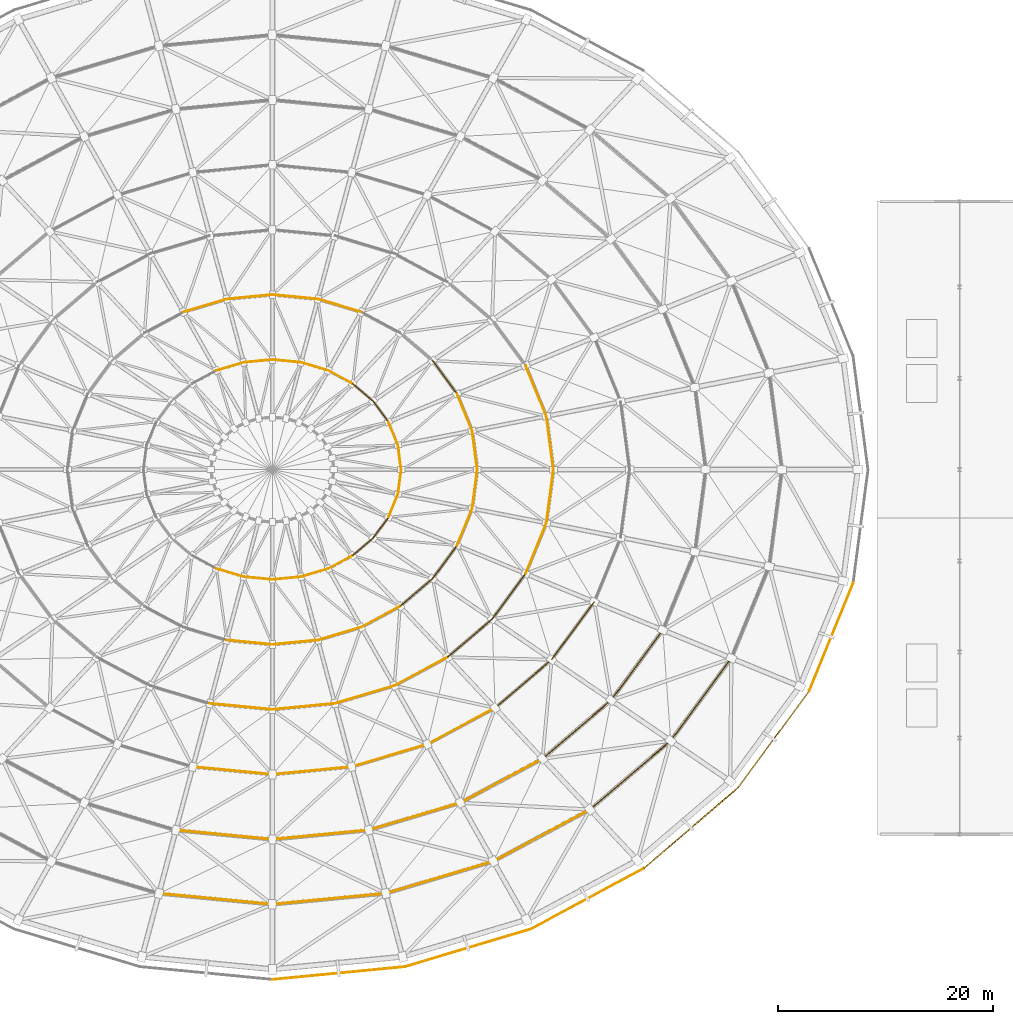
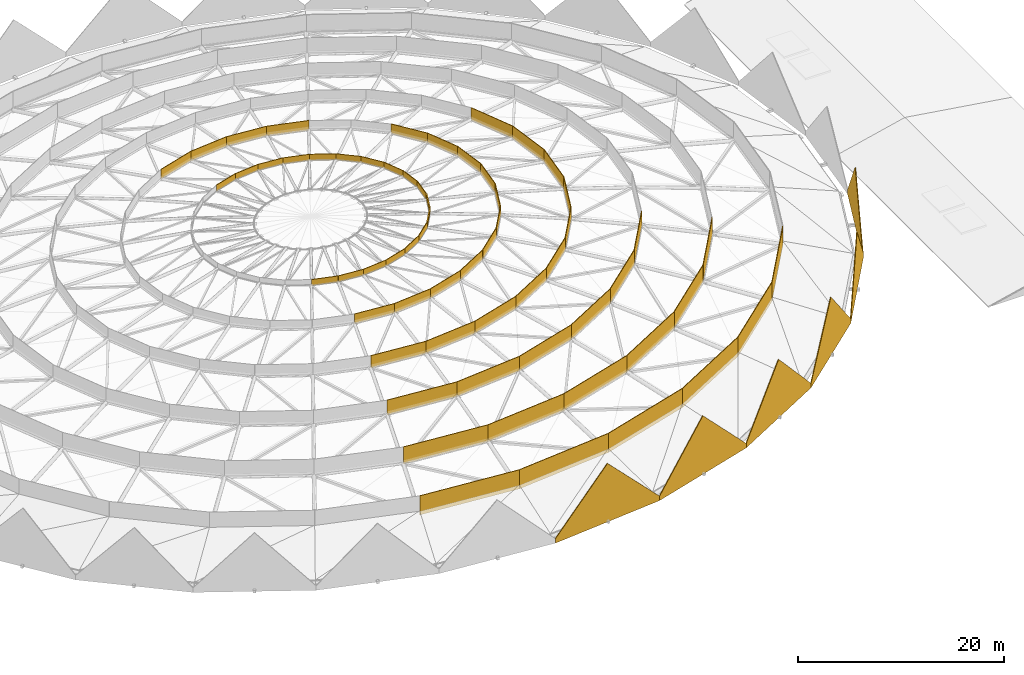
# One storey, part 25 of 27: 67 coverings.
"""IFC4 building model written with IfcOpenShell, lengths in metres."""

from ifc_helpers import new_model, si_unit, direction, frame, frame_2d, origin, place, context, subcontext, project, spatial, polyline, rectangle, outline, extrude, material, layer, layer_set, type_object, element, save


model = new_model("IFC4")

# Units and contexts
model_context = context("Model", 3, precision=1e-05, world=origin(), true_north=direction((0.0, 1.0)))
body_context = subcontext(model_context, "Body", "Model", "MODEL_VIEW")
ifc_project = project(units=[si_unit("LENGTHUNIT", "METRE"), si_unit("AREAUNIT", "SQUARE_METRE"), si_unit("VOLUMEUNIT", "CUBIC_METRE"), si_unit("PLANEANGLEUNIT", "RADIAN"), si_unit("MASSUNIT", "GRAM", prefix="KILO")], contexts=[model_context])

# Site, building, storey
site_placement = place(None, origin())
site = spatial("IfcSite", under=ifc_project, at=site_placement, CompositionType="ELEMENT")
building_placement = place(site_placement, origin())
building = spatial("IfcBuilding", under=site, at=building_placement, Name="Cuetzalor Civic Arena", CompositionType="ELEMENT")
storey_placement = place(building_placement, frame((0.0, 0.0, 31.800048828125)))
storey = spatial("IfcBuildingStorey", under=building, at=storey_placement, Name="Roof", CompositionType="ELEMENT", Elevation=31.800048828125)

# Coverings
ifc_material = material(Name="Terracotta-red perforated anodised aluminium panel", Category="masonry")
ifc_layer = layer(ifc_material, 0.080078125)
ifc_layer_set = layer_set([ifc_layer], Name="Terracotta-red perforated anodised aluminium panel")
covering_type = type_object("IfcCoveringType", Name="TerracottaPerforatedScreenPanel", PredefinedType="CLADDING", material=ifc_layer_set)
covering_1_placement = place(storey_placement, frame((12.349853515625, -46.30908203125, -0.1201171875), z_axis=(0.0, 0.0, 1.0), x_axis=(-0.995382637025, -0.095986488157, 0.0)))
element("IfcCovering", 1, at=covering_1_placement, inside=storey, type_object=covering_type, Name="Terracotta Sawtooth Crest Panel S22", PredefinedType="CLADDING", context=body_context, shape_type="SweptSolid", body=[
    extrude(outline(polyline([(0.0, 0.0), (12.4072265625, 0.0), (12.4072265625, 0.52001953125), (6.20361328125, 6.920166015625), (0.0, 0.52001953125), (0.0, 0.0)])), frame((0.0, 0.0400390625, 0.0), z_axis=(0.0, -1.0, 0.0), x_axis=(1.0, 0.0, 0.0)), (0.0, 0.0, 1.0), 0.080078125),
])
covering_2_placement = place(storey_placement, frame((24.08056640625, -42.7958984375, -0.1201171875), z_axis=(0.0, 0.0, 1.0), x_axis=(-0.957961714935, -0.286896066056, 0.0)))
element("IfcCovering", 2, at=covering_2_placement, inside=storey, type_object=covering_type, Name="Terracotta Sawtooth Crest Panel S23", PredefinedType="CLADDING", context=body_context, shape_type="SweptSolid", body=[
    extrude(outline(polyline([(0.0, 0.0), (12.24560546875, 0.0), (12.245361328125, 0.52001953125), (6.122802734375, 6.920166015625), (0.0, 0.52001953125), (0.0, 0.0)])), frame((0.0, 0.0400390625, 0.0), z_axis=(0.0, -1.0, 0.0), x_axis=(1.0, 0.0, 0.0)), (0.0, 0.0, 1.0), 0.080078125),
])
covering_3_placement = place(storey_placement, frame((34.603759765625, -37.136962890625, -0.1201171875), z_axis=(0.0, 0.0, 1.0), x_axis=(-0.880729476331, -0.473619667584, 0.0)))
element("IfcCovering", 3, at=covering_3_placement, inside=storey, type_object=covering_type, Name="Terracotta Sawtooth Crest Panel S24", PredefinedType="CLADDING", context=body_context, shape_type="SweptSolid", body=[
    extrude(outline(polyline([(0.0, 0.0), (11.9482421875, 0.0), (11.9482421875, 0.52001953125), (5.97412109375, 6.920166015625), (0.0, 0.52001953125), (0.0, 0.0)])), frame((0.0, 0.0400390625, 0.0), z_axis=(0.0, -1.0, 0.0), x_axis=(1.0, 0.0, 0.0)), (0.0, 0.0, 1.0), 0.080078125),
])
covering_4_placement = place(storey_placement, frame((43.3916015625, -29.61572265625, -0.1201171875), z_axis=(0.0, 0.0, 1.0), x_axis=(-0.759734649699, -0.650233236652, 0.0)))
element("IfcCovering", 4, at=covering_4_placement, inside=storey, type_object=covering_type, Name="Terracotta Sawtooth Crest Panel S25", PredefinedType="CLADDING", context=body_context, shape_type="SweptSolid", body=[
    extrude(outline(polyline([(0.0, 0.0), (11.56689453125, 0.0), (11.56689453125, 0.52001953125), (5.783447265625, 6.920166015625), (0.0, 0.52001953125), (0.0, 0.0)])), frame((0.0, 0.0400390625, 0.0), z_axis=(0.0, -1.0, 0.0), x_axis=(1.0, 0.0, 0.0)), (0.0, 0.0, 1.0), 0.080078125),
])
covering_5_placement = place(storey_placement, frame((50.00390625, -20.609619140625, -0.1201171875), z_axis=(0.0, 0.0, 1.0), x_axis=(-0.591819224601, -0.806070719846, 0.0)))
element("IfcCovering", 5, at=covering_5_placement, inside=storey, type_object=covering_type, Name="Terracotta Sawtooth Crest Panel S26", PredefinedType="CLADDING", context=body_context, shape_type="SweptSolid", body=[
    extrude(outline(polyline([(0.0, 0.0), (11.1728515625, 0.0), (11.1728515625, 0.52001953125), (5.58642578125, 6.920166015625), (0.0, 0.52001953125), (0.0, 0.0)])), frame((0.0, 0.0400390625, 0.0), z_axis=(0.0, -1.0, 0.0), x_axis=(1.0, 0.0, 0.0)), (0.0, 0.0, 1.0), 0.080078125),
])
covering_6_placement = place(storey_placement, frame((54.1083984375, -10.569580078125, -0.1201171875), z_axis=(0.0, 0.0, 1.0), x_axis=(-0.378411973316, -0.925637282336, 0.0)))
element("IfcCovering", 6, at=covering_6_placement, inside=storey, type_object=covering_type, Name="Terracotta Sawtooth Crest Panel S27", PredefinedType="CLADDING", context=body_context, shape_type="SweptSolid", body=[
    extrude(outline(polyline([(0.0, 0.0), (10.8466796875, 0.0), (10.846435546875, 0.52001953125), (5.42333984375, 6.920166015625), (0.0, 0.52001953125), (0.0, 0.0)])), frame((0.0, 0.0400390625, 0.0), z_axis=(0.0, -1.0, 0.0), x_axis=(1.0, 0.0, 0.0)), (0.0, 0.0, 1.0), 0.080078125),
])
for number, where, z_axis, x_axis, name in (
    (7, (0.0, -40.49853515625, 2.06103515625), (0.0, 0.0, 1.0), (-0.995409535031, 0.095707144817, 0.0), "Dome Acoustic Clerestory Baffle Ring 1 S21"),
    (8, (10.560546875, -39.483154296875, 2.06103515625), (0.0, 0.0, 1.0), (-0.995409535031, -0.095707144817, 0.0), "Dome Acoustic Clerestory Baffle Ring 1 S22"),
):
    element("IfcCovering", number, at=place(storey_placement, frame(where, z_axis=z_axis, x_axis=x_axis)), inside=storey, type_object=covering_type, Name=name, PredefinedType="CLADDING", context=body_context, shape_type="SweptSolid", body=[
        extrude(rectangle(XDim=10.609130859375, YDim=0.080078125, at=frame_2d((5.3046875, 0.0))), origin(), (0.0, 0.0, 1.0), 2.263671875),
    ])
covering_7_placement = place(storey_placement, frame((20.591552734375, -36.48779296875, 2.06103515625), z_axis=(0.0, 0.0, 1.0), x_axis=(-0.95819201033, -0.286125971104, 0.0)))
element("IfcCovering", 9, at=covering_7_placement, inside=storey, type_object=covering_type, Name="Dome Acoustic Clerestory Baffle Ring 1 S23", PredefinedType="CLADDING", context=body_context, shape_type="SweptSolid", body=[
    extrude(rectangle(XDim=10.46875, YDim=0.080078125, at=frame_2d((5.234375, 0.0))), origin(), (0.0, 0.0, 1.0), 2.263671875),
])
covering_8_placement = place(storey_placement, frame((29.58984375, -31.6630859375, 2.06103515625), z_axis=(0.0, 0.0, 1.0), x_axis=(-0.881308929079, -0.472540550139, 0.0)))
element("IfcCovering", 10, at=covering_8_placement, inside=storey, type_object=covering_type, Name="Dome Acoustic Clerestory Baffle Ring 1 S24", PredefinedType="CLADDING", context=body_context, shape_type="SweptSolid", body=[
    extrude(rectangle(XDim=10.210205078125, YDim=0.080078125, at=frame_2d((5.10498046875, 0.0))), origin(), (0.0, 0.0, 1.0), 2.263671875),
])
covering_9_placement = place(storey_placement, frame((37.1044921875, -25.25048828125, 2.06103515625), z_axis=(0.0, 0.0, 1.0), x_axis=(-0.760681764148, -0.649124990809, 0.0)))
element("IfcCovering", 11, at=covering_9_placement, inside=storey, type_object=covering_type, Name="Dome Acoustic Clerestory Baffle Ring 1 S25", PredefinedType="CLADDING", context=body_context, shape_type="SweptSolid", body=[
    extrude(rectangle(XDim=9.87890625, YDim=0.080078125, at=frame_2d((4.939453125, 0.0))), origin(), (0.0, 0.0, 1.0), 2.263671875),
])
covering_10_placement = place(storey_placement, frame((42.758544921875, -17.571533203125, 2.06103515625), z_axis=(0.0, 0.0, 1.0), x_axis=(-0.592918666159, -0.805262351858, 0.0)))
element("IfcCovering", 12, at=covering_10_placement, inside=storey, type_object=covering_type, Name="Dome Acoustic Clerestory Baffle Ring 1 S26", PredefinedType="CLADDING", context=body_context, shape_type="SweptSolid", body=[
    extrude(rectangle(XDim=9.535888671875, YDim=0.080078125, at=frame_2d((4.76806640625, 0.0))), origin(), (0.0, 0.0, 1.0), 2.263671875),
])
for number, where, z_axis, x_axis, name in (
    (13, (0.0, -34.447021484375, 3.95458984375), (0.0, 0.0, 1.0), (-0.995408235955, 0.095720655001, 0.0), "Dome Acoustic Clerestory Baffle Ring 2 S21"),
    (14, (8.982421875, -33.583251953125, 3.95458984375), (0.0, 0.0, 1.0), (-0.995408235955, -0.095720655001, 0.0), "Dome Acoustic Clerestory Baffle Ring 2 S22"),
):
    element("IfcCovering", number, at=place(storey_placement, frame(where, z_axis=z_axis, x_axis=x_axis)), inside=storey, type_object=covering_type, Name=name, PredefinedType="CLADDING", context=body_context, shape_type="SweptSolid", body=[
        extrude(rectangle(XDim=9.02392578125, YDim=0.080078125, at=frame_2d((4.511962890625, 0.0))), origin(), (0.0, 0.0, 1.0), 2.031982421875),
    ])
covering_11_placement = place(storey_placement, frame((17.5146484375, -31.03564453125, 3.95458984375), z_axis=(0.0, 0.0, 1.0), x_axis=(-0.958198261041, -0.286105037598, 0.0)))
element("IfcCovering", 15, at=covering_11_placement, inside=storey, type_object=covering_type, Name="Dome Acoustic Clerestory Baffle Ring 2 S23", PredefinedType="CLADDING", context=body_context, shape_type="SweptSolid", body=[
    extrude(rectangle(XDim=8.904541015625, YDim=0.080078125, at=frame_2d((4.4521484375, 0.0))), origin(), (0.0, 0.0, 1.0), 2.031982421875),
])
covering_12_placement = place(storey_placement, frame((25.16845703125, -26.931640625, 3.95458984375), z_axis=(0.0, 0.0, 1.0), x_axis=(-0.88130020339, -0.472556823572, 0.0)))
element("IfcCovering", 16, at=covering_12_placement, inside=storey, type_object=covering_type, Name="Dome Acoustic Clerestory Baffle Ring 2 S24", PredefinedType="CLADDING", context=body_context, shape_type="SweptSolid", body=[
    extrude(rectangle(XDim=8.6845703125, YDim=0.080078125, at=frame_2d((4.34228515625, 0.0))), origin(), (0.0, 0.0, 1.0), 2.031982421875),
])
covering_13_placement = place(storey_placement, frame((31.560302734375, -21.477294921875, 3.95458984375), z_axis=(0.0, 0.0, 1.0), x_axis=(-0.760688366944, -0.649117253195, 0.0)))
element("IfcCovering", 17, at=covering_13_placement, inside=storey, type_object=covering_type, Name="Dome Acoustic Clerestory Baffle Ring 2 S25", PredefinedType="CLADDING", context=body_context, shape_type="SweptSolid", body=[
    extrude(rectangle(XDim=8.40283203125, YDim=0.080078125, at=frame_2d((4.201416015625, 0.0))), origin(), (0.0, 0.0, 1.0), 2.031982421875),
])
covering_14_placement = place(storey_placement, frame((36.369384765625, -14.946044921875, 3.95458984375), z_axis=(0.0, 0.0, 1.0), x_axis=(-0.592925880885, -0.80525703957, 0.0)))
element("IfcCovering", 18, at=covering_14_placement, inside=storey, type_object=covering_type, Name="Dome Acoustic Clerestory Baffle Ring 2 S26", PredefinedType="CLADDING", context=body_context, shape_type="SweptSolid", body=[
    extrude(rectangle(XDim=8.11083984375, YDim=0.080078125, at=frame_2d((4.055419921875, 0.0))), origin(), (0.0, 0.0, 1.0), 2.031982421875),
])
for number, where, z_axis, x_axis, name in (
    (19, (0.0, -28.3955078125, 5.616455078125), (0.0, 0.0, 1.0), (-0.995409810791, 0.095704276708, 0.0), "Dome Acoustic Clerestory Baffle Ring 3 S21"),
    (20, (7.404541015625, -27.68359375, 5.616455078125), (0.0, 0.0, 1.0), (-0.995409810791, -0.095704276708, 0.0), "Dome Acoustic Clerestory Baffle Ring 3 S22"),
):
    element("IfcCovering", number, at=place(storey_placement, frame(where, z_axis=z_axis, x_axis=x_axis)), inside=storey, type_object=covering_type, Name=name, PredefinedType="CLADDING", context=body_context, shape_type="SweptSolid", body=[
        extrude(rectangle(XDim=7.438720703125, YDim=0.080078125, at=frame_2d((3.71923828125, 0.0))), origin(), (0.0, 0.0, 1.0), 1.781005859375),
    ])
covering_15_placement = place(storey_placement, frame((14.437744140625, -25.58349609375, 5.616455078125), z_axis=(0.0, 0.0, 1.0), x_axis=(-0.958195334565, -0.286114838515, 0.0)))
element("IfcCovering", 21, at=covering_15_placement, inside=storey, type_object=covering_type, Name="Dome Acoustic Clerestory Baffle Ring 3 S23", PredefinedType="CLADDING", context=body_context, shape_type="SweptSolid", body=[
    extrude(rectangle(XDim=7.340087890625, YDim=0.080078125, at=frame_2d((3.669921875, 0.0))), origin(), (0.0, 0.0, 1.0), 1.781005859375),
])
covering_16_placement = place(storey_placement, frame((20.746826171875, -22.200439453125, 5.616455078125), z_axis=(0.0, 0.0, 1.0), x_axis=(-0.881294345533, -0.472567748086, 0.0)))
element("IfcCovering", 22, at=covering_16_placement, inside=storey, type_object=covering_type, Name="Dome Acoustic Clerestory Baffle Ring 3 S24", PredefinedType="CLADDING", context=body_context, shape_type="SweptSolid", body=[
    extrude(rectangle(XDim=7.158935546875, YDim=0.080078125, at=frame_2d((3.57958984375, 0.0))), origin(), (0.0, 0.0, 1.0), 1.781005859375),
])
covering_17_placement = place(storey_placement, frame((26.015869140625, -17.704345703125, 5.616455078125), z_axis=(0.0, 0.0, 1.0), x_axis=(-0.760697783839, -0.649106217551, 0.0)))
element("IfcCovering", 23, at=covering_17_placement, inside=storey, type_object=covering_type, Name="Dome Acoustic Clerestory Baffle Ring 3 S25", PredefinedType="CLADDING", context=body_context, shape_type="SweptSolid", body=[
    extrude(rectangle(XDim=6.926513671875, YDim=0.080078125, at=frame_2d((3.46337890625, 0.0))), origin(), (0.0, 0.0, 1.0), 1.781005859375),
])
covering_18_placement = place(storey_placement, frame((29.980224609375, -12.3203125, 5.616455078125), z_axis=(0.0, 0.0, 1.0), x_axis=(-0.592924979879, -0.805257702997, 0.0)))
element("IfcCovering", 24, at=covering_18_placement, inside=storey, type_object=covering_type, Name="Dome Acoustic Clerestory Baffle Ring 3 S26", PredefinedType="CLADDING", context=body_context, shape_type="SweptSolid", body=[
    extrude(rectangle(XDim=6.68603515625, YDim=0.080078125, at=frame_2d((3.343017578125, 0.0))), origin(), (0.0, 0.0, 1.0), 1.781005859375),
])
covering_19_placement = place(storey_placement, frame((25.527587890625, 4.971923828125, 7.02734375), z_axis=(0.0, 0.0, 1.0), x_axis=(0.130904064007, -0.991395040348, 0.0)))
element("IfcCovering", 25, at=covering_19_placement, inside=storey, type_object=covering_type, Name="Dome Acoustic Clerestory Baffle Ring 4 S01", PredefinedType="CLADDING", context=body_context, shape_type="SweptSolid", body=[
    extrude(rectangle(XDim=5.01513671875, YDim=0.080078125, at=frame_2d((2.507568359375, 0.0))), origin(), (0.0, 0.0, 1.0), 1.5029296875),
])
covering_20_placement = place(storey_placement, frame((23.591064453125, 9.694580078125, 7.02734375), z_axis=(0.0, 0.0, 1.0), x_axis=(0.379392590278, -0.925235787485, 0.0)))
element("IfcCovering", 26, at=covering_20_placement, inside=storey, type_object=covering_type, Name="Dome Acoustic Clerestory Baffle Ring 4 S02", PredefinedType="CLADDING", context=body_context, shape_type="SweptSolid", body=[
    extrude(rectangle(XDim=5.104248046875, YDim=0.080078125, at=frame_2d((2.55224609375, 0.0))), origin(), (0.0, 0.0, 1.0), 1.5029296875),
])
for number, where, z_axis, x_axis, name in (
    (27, (0.0, -22.343994140625, 7.02734375), (0.0, 0.0, 1.0), (-0.995407882731, 0.095724328132, 0.0), "Dome Acoustic Clerestory Baffle Ring 4 S21"),
    (28, (5.826416015625, -21.78369140625, 7.02734375), (0.0, 0.0, 1.0), (-0.995407882731, -0.095724328132, 0.0), "Dome Acoustic Clerestory Baffle Ring 4 S22"),
):
    element("IfcCovering", number, at=place(storey_placement, frame(where, z_axis=z_axis, x_axis=x_axis)), inside=storey, type_object=covering_type, Name=name, PredefinedType="CLADDING", context=body_context, shape_type="SweptSolid", body=[
        extrude(rectangle(XDim=5.853271484375, YDim=0.080078125, at=frame_2d((2.9267578125, 0.0))), origin(), (0.0, 0.0, 1.0), 1.5029296875),
    ])
covering_21_placement = place(storey_placement, frame((11.36083984375, -20.131103515625, 7.02734375), z_axis=(0.0, 0.0, 1.0), x_axis=(-0.958194283061, -0.286118359965, 0.0)))
element("IfcCovering", 29, at=covering_21_placement, inside=storey, type_object=covering_type, Name="Dome Acoustic Clerestory Baffle Ring 4 S23", PredefinedType="CLADDING", context=body_context, shape_type="SweptSolid", body=[
    extrude(rectangle(XDim=5.77587890625, YDim=0.080078125, at=frame_2d((2.887939453125, 0.0))), origin(), (0.0, 0.0, 1.0), 1.5029296875),
])
covering_22_placement = place(storey_placement, frame((16.325439453125, -17.46923828125, 7.02734375), z_axis=(0.0, 0.0, 1.0), x_axis=(-0.881313042066, -0.472532879157, 0.0)))
element("IfcCovering", 30, at=covering_22_placement, inside=storey, type_object=covering_type, Name="Dome Acoustic Clerestory Baffle Ring 4 S24", PredefinedType="CLADDING", context=body_context, shape_type="SweptSolid", body=[
    extrude(rectangle(XDim=5.63330078125, YDim=0.080078125, at=frame_2d((2.816650390625, 0.0))), origin(), (0.0, 0.0, 1.0), 1.5029296875),
])
covering_23_placement = place(storey_placement, frame((20.471435546875, -13.931396484375, 7.02734375), z_axis=(0.0, 0.0, 1.0), x_axis=(-0.760693428242, -0.649111321909, 0.0)))
element("IfcCovering", 31, at=covering_23_placement, inside=storey, type_object=covering_type, Name="Dome Acoustic Clerestory Baffle Ring 4 S25", PredefinedType="CLADDING", context=body_context, shape_type="SweptSolid", body=[
    extrude(rectangle(XDim=5.4501953125, YDim=0.080078125, at=frame_2d((2.72509765625, 0.0))), origin(), (0.0, 0.0, 1.0), 1.5029296875),
])
covering_24_placement = place(storey_placement, frame((23.591064453125, -9.694580078125, 7.02734375), z_axis=(0.0, 0.0, 1.0), x_axis=(-0.592923590931, -0.805258725701, 0.0)))
element("IfcCovering", 32, at=covering_24_placement, inside=storey, type_object=covering_type, Name="Dome Acoustic Clerestory Baffle Ring 4 S26", PredefinedType="CLADDING", context=body_context, shape_type="SweptSolid", body=[
    extrude(rectangle(XDim=5.261474609375, YDim=0.080078125, at=frame_2d((2.630859375, 0.0))), origin(), (0.0, 0.0, 1.0), 1.5029296875),
])
covering_25_placement = place(storey_placement, frame((25.527587890625, -4.971923828125, 7.02734375), z_axis=(0.0, 0.0, 1.0), x_axis=(-0.379392590278, -0.925235787485, 0.0)))
element("IfcCovering", 33, at=covering_25_placement, inside=storey, type_object=covering_type, Name="Dome Acoustic Clerestory Baffle Ring 4 S27", PredefinedType="CLADDING", context=body_context, shape_type="SweptSolid", body=[
    extrude(rectangle(XDim=5.104248046875, YDim=0.080078125, at=frame_2d((2.55224609375, 0.0))), origin(), (0.0, 0.0, 1.0), 1.5029296875),
])
covering_26_placement = place(storey_placement, frame((26.18408203125, 0.0, 7.02734375), z_axis=(0.0, 0.0, 1.0), x_axis=(-0.130904064007, -0.991395040348, 0.0)))
element("IfcCovering", 34, at=covering_26_placement, inside=storey, type_object=covering_type, Name="Dome Acoustic Clerestory Baffle Ring 4 S28", PredefinedType="CLADDING", context=body_context, shape_type="SweptSolid", body=[
    extrude(rectangle(XDim=5.01513671875, YDim=0.080078125, at=frame_2d((2.507568359375, 0.0))), origin(), (0.0, 0.0, 1.0), 1.5029296875),
])
covering_27_placement = place(storey_placement, frame((18.61376953125, 3.62548828125, 8.160400390625), z_axis=(0.0, 0.0, 1.0), x_axis=(0.130917322618, -0.991393289587, 0.0)))
element("IfcCovering", 35, at=covering_27_placement, inside=storey, type_object=covering_type, Name="Dome Acoustic Clerestory Baffle Ring 5 S01", PredefinedType="CLADDING", context=body_context, shape_type="SweptSolid", body=[
    extrude(rectangle(XDim=3.656982421875, YDim=0.080078125, at=frame_2d((1.82861328125, 0.0))), origin(), (0.0, 0.0, 1.0), 1.180419921875),
])
covering_28_placement = place(storey_placement, frame((17.20166015625, 7.069091796875, 8.160400390625), z_axis=(0.0, 0.0, 1.0), x_axis=(0.379406628759, -0.925230030886, 0.0)))
element("IfcCovering", 36, at=covering_28_placement, inside=storey, type_object=covering_type, Name="Dome Acoustic Clerestory Baffle Ring 5 S02", PredefinedType="CLADDING", context=body_context, shape_type="SweptSolid", body=[
    extrude(rectangle(XDim=3.721923828125, YDim=0.080078125, at=frame_2d((1.86083984375, 0.0))), origin(), (0.0, 0.0, 1.0), 1.180419921875),
])
covering_29_placement = place(storey_placement, frame((14.927001953125, 10.158203125, 8.160400390625), z_axis=(0.0, 0.0, 1.0), x_axis=(0.592940674136, -0.805246146812, 0.0)))
element("IfcCovering", 37, at=covering_29_placement, inside=storey, type_object=covering_type, Name="Dome Acoustic Clerestory Baffle Ring 5 S03", PredefinedType="CLADDING", context=body_context, shape_type="SweptSolid", body=[
    extrude(rectangle(XDim=3.836181640625, YDim=0.080078125, at=frame_2d((1.91796875, 0.0))), origin(), (0.0, 0.0, 1.0), 1.180419921875),
])
covering_30_placement = place(storey_placement, frame((4.24853515625, 15.884033203125, 8.160400390625), z_axis=(0.0, 0.0, 1.0), x_axis=(0.958187704523, -0.286140390195, 0.0)))
element("IfcCovering", 38, at=covering_30_placement, inside=storey, type_object=covering_type, Name="Dome Acoustic Clerestory Baffle Ring 5 S06", PredefinedType="CLADDING", context=body_context, shape_type="SweptSolid", body=[
    extrude(rectangle(XDim=4.21142578125, YDim=0.080078125, at=frame_2d((2.105712890625, 0.0))), origin(), (0.0, 0.0, 1.0), 1.180419921875),
])
for number, where, z_axis, x_axis, name in (
    (39, (0.0, 16.29248046875, 8.160400390625), (0.0, 0.0, 1.0), (0.995410496211, -0.095697147464, 0.0), "Dome Acoustic Clerestory Baffle Ring 5 S07"),
    (40, (-4.24853515625, 15.884033203125, 8.160400390625), (0.0, 0.0, 1.0), (0.995410496211, 0.095697147464, 0.0), "Dome Acoustic Clerestory Baffle Ring 5 S08"),
):
    element("IfcCovering", number, at=place(storey_placement, frame(where, z_axis=z_axis, x_axis=x_axis)), inside=storey, type_object=covering_type, Name=name, PredefinedType="CLADDING", context=body_context, shape_type="SweptSolid", body=[
        extrude(rectangle(XDim=4.26806640625, YDim=0.080078125, at=frame_2d((2.134033203125, 0.0))), origin(), (0.0, 0.0, 1.0), 1.180419921875),
    ])
covering_31_placement = place(storey_placement, frame((-8.283935546875, 14.678955078125, 8.160400390625), z_axis=(0.0, 0.0, 1.0), x_axis=(0.958187704523, 0.286140390195, 0.0)))
element("IfcCovering", 41, at=covering_31_placement, inside=storey, type_object=covering_type, Name="Dome Acoustic Clerestory Baffle Ring 5 S09", PredefinedType="CLADDING", context=body_context, shape_type="SweptSolid", body=[
    extrude(rectangle(XDim=4.21142578125, YDim=0.080078125, at=frame_2d((2.105712890625, 0.0))), origin(), (0.0, 0.0, 1.0), 1.180419921875),
])
for number, where, z_axis, x_axis, name in (
    (42, (0.0, -16.29248046875, 8.160400390625), (0.0, 0.0, 1.0), (-0.995410496211, 0.095697147464, 0.0), "Dome Acoustic Clerestory Baffle Ring 5 S21"),
    (43, (4.24853515625, -15.884033203125, 8.160400390625), (0.0, 0.0, 1.0), (-0.995410496211, -0.095697147464, 0.0), "Dome Acoustic Clerestory Baffle Ring 5 S22"),
):
    element("IfcCovering", number, at=place(storey_placement, frame(where, z_axis=z_axis, x_axis=x_axis)), inside=storey, type_object=covering_type, Name=name, PredefinedType="CLADDING", context=body_context, shape_type="SweptSolid", body=[
        extrude(rectangle(XDim=4.26806640625, YDim=0.080078125, at=frame_2d((2.134033203125, 0.0))), origin(), (0.0, 0.0, 1.0), 1.180419921875),
    ])
covering_32_placement = place(storey_placement, frame((8.283935546875, -14.678955078125, 8.160400390625), z_axis=(0.0, 0.0, 1.0), x_axis=(-0.958187704523, -0.286140390195, 0.0)))
element("IfcCovering", 44, at=covering_32_placement, inside=storey, type_object=covering_type, Name="Dome Acoustic Clerestory Baffle Ring 5 S23", PredefinedType="CLADDING", context=body_context, shape_type="SweptSolid", body=[
    extrude(rectangle(XDim=4.21142578125, YDim=0.080078125, at=frame_2d((2.105712890625, 0.0))), origin(), (0.0, 0.0, 1.0), 1.180419921875),
])
covering_33_placement = place(storey_placement, frame((11.904052734375, -12.738037109375, 8.160400390625), z_axis=(0.0, 0.0, 1.0), x_axis=(-0.881320873547, -0.472518272505, 0.0)))
element("IfcCovering", 45, at=covering_33_placement, inside=storey, type_object=covering_type, Name="Dome Acoustic Clerestory Baffle Ring 5 S24", PredefinedType="CLADDING", context=body_context, shape_type="SweptSolid", body=[
    extrude(rectangle(XDim=4.107666015625, YDim=0.080078125, at=frame_2d((2.0537109375, 0.0))), origin(), (0.0, 0.0, 1.0), 1.180419921875),
])
covering_34_placement = place(storey_placement, frame((14.927001953125, -10.158203125, 8.160400390625), z_axis=(0.0, 0.0, 1.0), x_axis=(-0.760655501722, -0.64915576536, 0.0)))
element("IfcCovering", 46, at=covering_34_placement, inside=storey, type_object=covering_type, Name="Dome Acoustic Clerestory Baffle Ring 5 S25", PredefinedType="CLADDING", context=body_context, shape_type="SweptSolid", body=[
    extrude(rectangle(XDim=3.97412109375, YDim=0.080078125, at=frame_2d((1.987060546875, 0.0))), origin(), (0.0, 0.0, 1.0), 1.180419921875),
])
covering_35_placement = place(storey_placement, frame((17.20166015625, -7.069091796875, 8.160400390625), z_axis=(0.0, 0.0, 1.0), x_axis=(-0.592940674136, -0.805246146812, 0.0)))
element("IfcCovering", 47, at=covering_35_placement, inside=storey, type_object=covering_type, Name="Dome Acoustic Clerestory Baffle Ring 5 S26", PredefinedType="CLADDING", context=body_context, shape_type="SweptSolid", body=[
    extrude(rectangle(XDim=3.836181640625, YDim=0.080078125, at=frame_2d((1.91796875, 0.0))), origin(), (0.0, 0.0, 1.0), 1.180419921875),
])
covering_36_placement = place(storey_placement, frame((18.61376953125, -3.62548828125, 8.160400390625), z_axis=(0.0, 0.0, 1.0), x_axis=(-0.379406628759, -0.925230030886, 0.0)))
element("IfcCovering", 48, at=covering_36_placement, inside=storey, type_object=covering_type, Name="Dome Acoustic Clerestory Baffle Ring 5 S27", PredefinedType="CLADDING", context=body_context, shape_type="SweptSolid", body=[
    extrude(rectangle(XDim=3.721923828125, YDim=0.080078125, at=frame_2d((1.86083984375, 0.0))), origin(), (0.0, 0.0, 1.0), 1.180419921875),
])
covering_37_placement = place(storey_placement, frame((19.092529296875, 0.0, 8.160400390625), z_axis=(0.0, 0.0, 1.0), x_axis=(-0.130917322618, -0.991393289587, 0.0)))
element("IfcCovering", 49, at=covering_37_placement, inside=storey, type_object=covering_type, Name="Dome Acoustic Clerestory Baffle Ring 5 S28", PredefinedType="CLADDING", context=body_context, shape_type="SweptSolid", body=[
    extrude(rectangle(XDim=3.656982421875, YDim=0.080078125, at=frame_2d((1.82861328125, 0.0))), origin(), (0.0, 0.0, 1.0), 1.180419921875),
])
covering_38_placement = place(storey_placement, frame((11.7001953125, 2.27880859375, 8.970947265625), z_axis=(0.0, 0.0, 1.0), x_axis=(0.130855642293, -0.991401432761, 0.0)))
element("IfcCovering", 50, at=covering_38_placement, inside=storey, type_object=covering_type, Name="Dome Acoustic Clerestory Baffle Ring 6 S01", PredefinedType="CLADDING", context=body_context, shape_type="SweptSolid", body=[
    extrude(rectangle(XDim=2.298583984375, YDim=0.080078125, at=frame_2d((1.1494140625, 0.0))), origin(), (0.0, 0.0, 1.0), 0.7490234375),
])
covering_39_placement = place(storey_placement, frame((10.8125, 4.443359375, 8.970947265625), z_axis=(0.0, 0.0, 1.0), x_axis=(0.379437257264, -0.925217470544, 0.0)))
element("IfcCovering", 51, at=covering_39_placement, inside=storey, type_object=covering_type, Name="Dome Acoustic Clerestory Baffle Ring 6 S02", PredefinedType="CLADDING", context=body_context, shape_type="SweptSolid", body=[
    extrude(rectangle(XDim=2.339599609375, YDim=0.080078125, at=frame_2d((1.169921875, 0.0))), origin(), (0.0, 0.0, 1.0), 0.7490234375),
])
covering_40_placement = place(storey_placement, frame((9.3828125, 6.38525390625, 8.970947265625), z_axis=(0.0, 0.0, 1.0), x_axis=(0.592881265751, -0.805289888625, 0.0)))
element("IfcCovering", 52, at=covering_40_placement, inside=storey, type_object=covering_type, Name="Dome Acoustic Clerestory Baffle Ring 6 S03", PredefinedType="CLADDING", context=body_context, shape_type="SweptSolid", body=[
    extrude(rectangle(XDim=2.411376953125, YDim=0.080078125, at=frame_2d((1.20556640625, 0.0))), origin(), (0.0, 0.0, 1.0), 0.7490234375),
])
covering_41_placement = place(storey_placement, frame((7.482421875, 8.006591796875, 8.970947265625), z_axis=(0.0, 0.0, 1.0), x_axis=(0.760751629131, -0.649043110105, 0.0)))
element("IfcCovering", 53, at=covering_41_placement, inside=storey, type_object=covering_type, Name="Dome Acoustic Clerestory Baffle Ring 6 S04", PredefinedType="CLADDING", context=body_context, shape_type="SweptSolid", body=[
    extrude(rectangle(XDim=2.498046875, YDim=0.080078125, at=frame_2d((1.2490234375, 0.0))), origin(), (0.0, 0.0, 1.0), 0.7490234375),
])
covering_42_placement = place(storey_placement, frame((5.20703125, 9.226806640625, 8.970947265625), z_axis=(0.0, 0.0, 1.0), x_axis=(0.881277466285, -0.472599224945, 0.0)))
element("IfcCovering", 54, at=covering_42_placement, inside=storey, type_object=covering_type, Name="Dome Acoustic Clerestory Baffle Ring 6 S05", PredefinedType="CLADDING", context=body_context, shape_type="SweptSolid", body=[
    extrude(rectangle(XDim=2.58203125, YDim=0.080078125, at=frame_2d((1.291015625, 0.0))), origin(), (0.0, 0.0, 1.0), 0.7490234375),
])
covering_43_placement = place(storey_placement, frame((2.67041015625, 9.984130859375, 8.970947265625), z_axis=(0.0, 0.0, 1.0), x_axis=(0.958206185225, -0.286078497264, 0.0)))
element("IfcCovering", 55, at=covering_43_placement, inside=storey, type_object=covering_type, Name="Dome Acoustic Clerestory Baffle Ring 6 S06", PredefinedType="CLADDING", context=body_context, shape_type="SweptSolid", body=[
    extrude(rectangle(XDim=2.647216796875, YDim=0.080078125, at=frame_2d((1.32373046875, 0.0))), origin(), (0.0, 0.0, 1.0), 0.7490234375),
])
for number, where, z_axis, x_axis, name in (
    (56, (0.0, 10.240966796875, 8.970947265625), (0.0, 0.0, 1.0), (0.995406694502, -0.095736683362, 0.0), "Dome Acoustic Clerestory Baffle Ring 6 S07"),
    (57, (-2.67041015625, 9.984130859375, 8.970947265625), (0.0, 0.0, 1.0), (0.995406694502, 0.095736683362, 0.0), "Dome Acoustic Clerestory Baffle Ring 6 S08"),
):
    element("IfcCovering", number, at=place(storey_placement, frame(where, z_axis=z_axis, x_axis=x_axis)), inside=storey, type_object=covering_type, Name=name, PredefinedType="CLADDING", context=body_context, shape_type="SweptSolid", body=[
        extrude(rectangle(XDim=2.6826171875, YDim=0.080078125, at=frame_2d((1.34130859375, 0.0))), origin(), (0.0, 0.0, 1.0), 0.7490234375),
    ])
for number, where, z_axis, x_axis, name in (
    (58, (-5.20703125, 9.226806640625, 8.970947265625), (0.0, 0.0, 1.0), (0.958206185225, 0.286078497264, 0.0), "Dome Acoustic Clerestory Baffle Ring 6 S09"),
    (59, (-2.67041015625, -9.984130859375, 8.970947265625), (0.0, 0.0, 1.0), (-0.958206185225, 0.286078497264, 0.0), "Dome Acoustic Clerestory Baffle Ring 6 S20"),
):
    element("IfcCovering", number, at=place(storey_placement, frame(where, z_axis=z_axis, x_axis=x_axis)), inside=storey, type_object=covering_type, Name=name, PredefinedType="CLADDING", context=body_context, shape_type="SweptSolid", body=[
        extrude(rectangle(XDim=2.647216796875, YDim=0.080078125, at=frame_2d((1.32373046875, 0.0))), origin(), (0.0, 0.0, 1.0), 0.7490234375),
    ])
for number, where, z_axis, x_axis, name in (
    (60, (0.0, -10.240966796875, 8.970947265625), (0.0, 0.0, 1.0), (-0.995406694502, 0.095736683362, 0.0), "Dome Acoustic Clerestory Baffle Ring 6 S21"),
    (61, (2.67041015625, -9.984130859375, 8.970947265625), (0.0, 0.0, 1.0), (-0.995406694502, -0.095736683362, 0.0), "Dome Acoustic Clerestory Baffle Ring 6 S22"),
):
    element("IfcCovering", number, at=place(storey_placement, frame(where, z_axis=z_axis, x_axis=x_axis)), inside=storey, type_object=covering_type, Name=name, PredefinedType="CLADDING", context=body_context, shape_type="SweptSolid", body=[
        extrude(rectangle(XDim=2.6826171875, YDim=0.080078125, at=frame_2d((1.34130859375, 0.0))), origin(), (0.0, 0.0, 1.0), 0.7490234375),
    ])
covering_44_placement = place(storey_placement, frame((5.20703125, -9.226806640625, 8.970947265625), z_axis=(0.0, 0.0, 1.0), x_axis=(-0.958206185225, -0.286078497264, 0.0)))
element("IfcCovering", 62, at=covering_44_placement, inside=storey, type_object=covering_type, Name="Dome Acoustic Clerestory Baffle Ring 6 S23", PredefinedType="CLADDING", context=body_context, shape_type="SweptSolid", body=[
    extrude(rectangle(XDim=2.647216796875, YDim=0.080078125, at=frame_2d((1.32373046875, 0.0))), origin(), (0.0, 0.0, 1.0), 0.7490234375),
])
covering_45_placement = place(storey_placement, frame((7.482421875, -8.006591796875, 8.970947265625), z_axis=(0.0, 0.0, 1.0), x_axis=(-0.881277466285, -0.472599224945, 0.0)))
element("IfcCovering", 63, at=covering_45_placement, inside=storey, type_object=covering_type, Name="Dome Acoustic Clerestory Baffle Ring 6 S24", PredefinedType="CLADDING", context=body_context, shape_type="SweptSolid", body=[
    extrude(rectangle(XDim=2.58203125, YDim=0.080078125, at=frame_2d((1.291015625, 0.0))), origin(), (0.0, 0.0, 1.0), 0.7490234375),
])
covering_46_placement = place(storey_placement, frame((9.3828125, -6.38525390625, 8.970947265625), z_axis=(0.0, 0.0, 1.0), x_axis=(-0.760751629131, -0.649043110105, 0.0)))
element("IfcCovering", 64, at=covering_46_placement, inside=storey, type_object=covering_type, Name="Dome Acoustic Clerestory Baffle Ring 6 S25", PredefinedType="CLADDING", context=body_context, shape_type="SweptSolid", body=[
    extrude(rectangle(XDim=2.498046875, YDim=0.080078125, at=frame_2d((1.2490234375, 0.0))), origin(), (0.0, 0.0, 1.0), 0.7490234375),
])
covering_47_placement = place(storey_placement, frame((10.8125, -4.443359375, 8.970947265625), z_axis=(0.0, 0.0, 1.0), x_axis=(-0.592881265751, -0.805289888625, 0.0)))
element("IfcCovering", 65, at=covering_47_placement, inside=storey, type_object=covering_type, Name="Dome Acoustic Clerestory Baffle Ring 6 S26", PredefinedType="CLADDING", context=body_context, shape_type="SweptSolid", body=[
    extrude(rectangle(XDim=2.411376953125, YDim=0.080078125, at=frame_2d((1.20556640625, 0.0))), origin(), (0.0, 0.0, 1.0), 0.7490234375),
])
covering_48_placement = place(storey_placement, frame((11.7001953125, -2.27880859375, 8.970947265625), z_axis=(0.0, 0.0, 1.0), x_axis=(-0.379437257264, -0.925217470544, 0.0)))
element("IfcCovering", 66, at=covering_48_placement, inside=storey, type_object=covering_type, Name="Dome Acoustic Clerestory Baffle Ring 6 S27", PredefinedType="CLADDING", context=body_context, shape_type="SweptSolid", body=[
    extrude(rectangle(XDim=2.339599609375, YDim=0.080078125, at=frame_2d((1.169921875, 0.0))), origin(), (0.0, 0.0, 1.0), 0.7490234375),
])
covering_49_placement = place(storey_placement, frame((12.0009765625, 0.0, 8.970947265625), z_axis=(0.0, 0.0, 1.0), x_axis=(-0.130855642293, -0.991401432761, 0.0)))
element("IfcCovering", 67, at=covering_49_placement, inside=storey, type_object=covering_type, Name="Dome Acoustic Clerestory Baffle Ring 6 S28", PredefinedType="CLADDING", context=body_context, shape_type="SweptSolid", body=[
    extrude(rectangle(XDim=2.298583984375, YDim=0.080078125, at=frame_2d((1.1494140625, 0.0))), origin(), (0.0, 0.0, 1.0), 0.7490234375),
])

save(model, "model.ifc")
